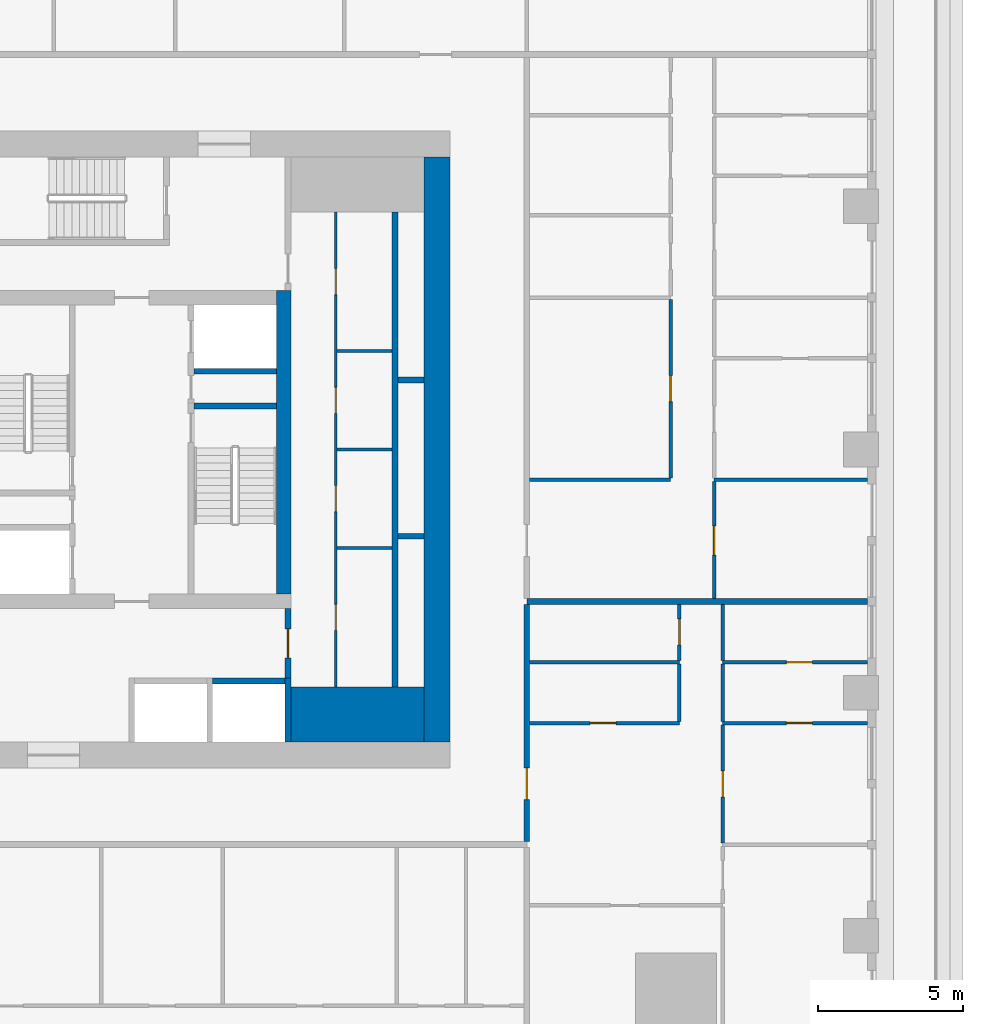
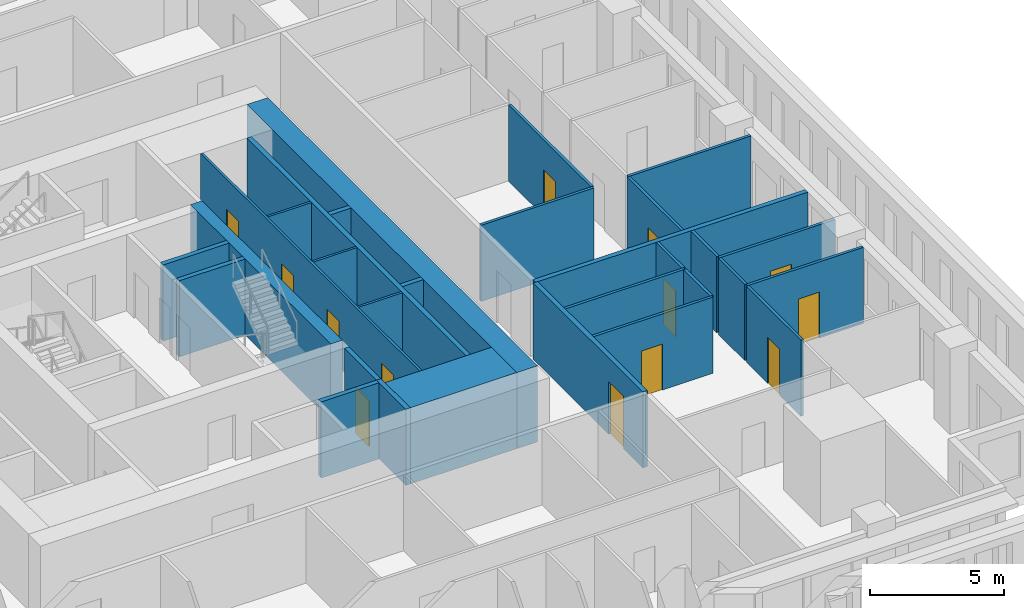
# One storey, part 5 of 14: 30 walls, 13 doors, 13 openings.
"""IFC4 building model written with IfcOpenShell, lengths in metres."""

from ifc_helpers import new_model, si_unit, direction, frame, frame_2d, origin, place, context, subcontext, project, spatial, rectangle, extrude, material, layer, layer_set, type_object, element, fill, save


model = new_model("IFC4")

# Units and contexts
model_context = context("Model", 3, precision=1e-05, world=origin(), true_north=direction((0.0, 1.0)))
body_context = subcontext(model_context, "Body", "Model", "MODEL_VIEW")
ifc_project = project(units=[si_unit("LENGTHUNIT", "METRE"), si_unit("AREAUNIT", "SQUARE_METRE"), si_unit("VOLUMEUNIT", "CUBIC_METRE"), si_unit("PLANEANGLEUNIT", "RADIAN"), si_unit("MASSUNIT", "GRAM", prefix="KILO")], contexts=[model_context])

# Site, building, storey
site_placement = place(None, origin())
site = spatial("IfcSite", under=ifc_project, at=site_placement, CompositionType="ELEMENT")
building_placement = place(site_placement, origin())
building = spatial("IfcBuilding", under=site, at=building_placement, Name="Khepri Terraces", CompositionType="ELEMENT")
storey_placement = place(building_placement, frame((0.0, 0.0, 90.89990234375)))
storey = spatial("IfcBuildingStorey", under=building, at=storey_placement, Name="L21", CompositionType="ELEMENT", Elevation=90.89990234375)

# Walls
ifc_material_1 = material(Name="Concrete C70/85", Category="concrete")
ifc_layer_1 = layer(ifc_material_1, 1.89990234375, Name="Concrete C70/85", Category="concrete")
ifc_layer_set_1 = layer_set([ifc_layer_1], Name="Concrete C70/85")
wall_type_1 = type_object("IfcWallType", Name="Core wall 1900 C70/85", PredefinedType="SHEAR", material=ifc_layer_set_1)
wall_1_placement = place(storey_placement, frame((5.5, -9.14990234375, 0.0), z_axis=(0.0, 0.0, 1.0), x_axis=(1.0, 0.0, 0.0)))
element("IfcWall", 1, at=wall_1_placement, inside=storey, type_object=wall_type_1, Name="Core wall PR02 L21", PredefinedType="SHEAR", context=body_context, shape_type="SweptSolid", body=[
    extrude(rectangle(XDim=4.60009765625, YDim=1.89990234375, at=frame_2d((2.300048828125, 0.0))), origin(), (0.0, 0.0, 1.0), 3.47998046875),
])
ifc_layer_2 = layer(ifc_material_1, 0.199951171875, Name="Concrete C70/85", Category="concrete")
ifc_layer_set_2 = layer_set([ifc_layer_2], Name="Concrete C70/85")
wall_type_2 = type_object("IfcWallType", Name="Core wall 200 C70/85", PredefinedType="SHEAR", material=ifc_layer_set_2)
wall_2_placement = place(storey_placement, frame((2.14990234375, 1.5, 0.0), z_axis=(0.0, 0.0, 1.0), x_axis=(1.0, 0.0, 0.0)))
element("IfcWall", 2, at=wall_2_placement, inside=storey, type_object=wall_type_2, Name="Core wall ST04 L21", PredefinedType="SHEAR", context=body_context, shape_type="SweptSolid", body=[
    extrude(rectangle(XDim=2.85009765625, YDim=0.199951171875, at=frame_2d((1.425048828125, 0.0))), origin(), (0.0, 0.0, 1.0), 3.47998046875),
])
wall_3_placement = place(storey_placement, frame((5.39990234375, -10.10009765625, 0.0), z_axis=(0.0, 0.0, 1.0), x_axis=(0.0, 1.0, 0.0)))
element("IfcWall", 3, at=wall_3_placement, inside=storey, type_object=wall_type_2, Name="Core wall SH03 L21", PredefinedType="SHEAR", context=body_context, shape_type="SweptSolid", body=[
    extrude(rectangle(XDim=2.2001953125, YDim=0.199951171875, at=frame_2d((1.10009765625, 0.0))), origin(), (0.0, 0.0, 1.0), 3.47998046875),
])
wall_4_placement = place(storey_placement, frame((9.10009765625, -8.199951171875, 0.0), z_axis=(0.0, 0.0, 1.0), x_axis=(0.0, 1.0, 0.0)))
element("IfcWall", 4, at=wall_4_placement, inside=storey, type_object=wall_type_2, Name="Core wall SH05 L21", PredefinedType="SHEAR", context=body_context, shape_type="SweptSolid", body=[
    extrude(rectangle(XDim=16.39990234375, YDim=0.199951171875, at=frame_2d((8.199951171875, 0.0))), origin(), (0.0, 0.0, 1.0), 3.47998046875),
])
wall_5_placement = place(storey_placement, frame((2.800048828125, -8.0, 0.0), z_axis=(0.0, 0.0, 1.0), x_axis=(1.0, 0.0, 0.0)))
element("IfcWall", 5, at=wall_5_placement, inside=storey, type_object=wall_type_2, Name="Core wall SH07 L21", PredefinedType="SHEAR", context=body_context, shape_type="SweptSolid", body=[
    extrude(rectangle(XDim=2.5, YDim=0.199951171875, at=frame_2d((1.25, 0.0))), origin(), (0.0, 0.0, 1.0), 3.47998046875),
])
for number, where, z_axis, x_axis, name in (
    (6, (9.199951171875, -3.0, 0.0), (0.0, 0.0, 1.0), (1.0, 0.0, 0.0), "Core wall SH11 L21"),
    (7, (9.199951171875, 2.39990234375, 0.0), (0.0, 0.0, 1.0), (1.0, 0.0, 0.0), "Core wall SH16 L21"),
):
    element("IfcWall", number, at=place(storey_placement, frame(where, z_axis=z_axis, x_axis=x_axis)), inside=storey, type_object=wall_type_2, Name=name, PredefinedType="SHEAR", context=body_context, shape_type="SweptSolid", body=[
        extrude(rectangle(XDim=0.900146484375, YDim=0.199951171875, at=frame_2d((0.4501953125, 0.0))), origin(), (0.0, 0.0, 1.0), 3.47998046875),
    ])
wall_6_placement = place(storey_placement, frame((2.14990234375, 2.699951171875, 0.0), z_axis=(0.0, 0.0, 1.0), x_axis=(1.0, 0.0, 0.0)))
element("IfcWall", 8, at=wall_6_placement, inside=storey, type_object=wall_type_2, Name="Core wall SH18 L21", PredefinedType="SHEAR", context=body_context, shape_type="SweptSolid", body=[
    extrude(rectangle(XDim=2.85009765625, YDim=0.199951171875, at=frame_2d((1.425048828125, 0.0))), origin(), (0.0, 0.0, 1.0), 3.47998046875),
])
ifc_layer_3 = layer(ifc_material_1, 0.5, Name="Concrete C70/85", Category="concrete")
ifc_layer_set_3 = layer_set([ifc_layer_3], Name="Concrete C70/85")
wall_type_3 = type_object("IfcWallType", Name="Core wall 500 C70/85", PredefinedType="SHEAR", material=ifc_layer_set_3)
wall_7_placement = place(storey_placement, frame((5.25, -5.0, 0.0), z_axis=(0.0, 0.0, 1.0), x_axis=(0.0, 1.0, 0.0)))
element("IfcWall", 9, at=wall_7_placement, inside=storey, type_object=wall_type_3, Name="Core wall BX03 L21", PredefinedType="SHEAR", context=body_context, shape_type="SweptSolid", body=[
    extrude(rectangle(XDim=10.5, YDim=0.5, at=frame_2d((5.25, 0.0))), origin(), (0.0, 0.0, 1.0), 3.47998046875),
])
ifc_layer_4 = layer(ifc_material_1, 0.89990234375, Name="Concrete C70/85", Category="concrete")
ifc_layer_set_4 = layer_set([ifc_layer_4], Name="Concrete C70/85")
wall_type_4 = type_object("IfcWallType", Name="Core wall 900 C70/85", PredefinedType="SHEAR", material=ifc_layer_set_4)
wall_8_placement = place(storey_placement, frame((10.550048828125, -10.10009765625, 0.0), z_axis=(0.0, 0.0, 1.0), x_axis=(0.0, 1.0, 0.0)))
element("IfcWall", 10, at=wall_8_placement, inside=storey, type_object=wall_type_4, Name="Core wall OW-E L21", PredefinedType="SHEAR", context=body_context, shape_type="SweptSolid", body=[
    extrude(rectangle(XDim=20.2001953125, YDim=0.89990234375, at=frame_2d((10.10009765625, 0.0))), origin(), (0.0, 0.0, 1.0), 3.47998046875),
])

# Wall, openings, doors
ifc_material_2 = material(Name="Fire-rated gypsum board partition")
ifc_layer_5 = layer(ifc_material_2, 0.10009765625, Name="Fire-rated gypsum board partition")
ifc_layer_set_5 = layer_set([ifc_layer_5], Name="Fire-rated gypsum board partition")
wall_type_5 = type_object("IfcWallType", Name="WL-CORE-PART-100", PredefinedType="PARTITIONING", material=ifc_layer_set_5)
wall_9_placement = place(storey_placement, frame((7.050048828125, -8.199951171875, 0.0), z_axis=(0.0, 0.0, 1.0), x_axis=(0.0, 1.0, 0.0)))
wall_9 = element("IfcWall", 11, at=wall_9_placement, inside=storey, type_object=wall_type_5, Name="Core partition PT02 L21", PredefinedType="PARTITIONING", context=body_context, shape_type="SweptSolid", body=[
    extrude(rectangle(XDim=16.39990234375, YDim=0.10009765625, at=frame_2d((8.199951171875, 0.0))), origin(), (0.0, 0.0, 1.0), 3.47998046875),
])
opening_1_placement = place(wall_9_placement, frame((1.949951171875, 0.0, 0.0)))
opening_1 = element("IfcOpeningElement", 12, at=opening_1_placement, cuts=wall_9, Name="Opening L21-C22", PredefinedType="OPENING", context=body_context, shape_type="SweptSolid", body=[
    extrude(rectangle(XDim=0.89990234375, YDim=2.10009765625, at=frame_2d((0.449951171875, 1.050048828125))), frame((0.0, 0.06005859375, 0.0), z_axis=(0.0, -1.0, 0.0), x_axis=(1.0, 0.0, 0.0)), (0.0, 0.0, 1.0), 0.1201171875),
])
opening_2_placement = place(wall_9_placement, frame((6.050048828125, 0.0, 0.0)))
opening_2 = element("IfcOpeningElement", 13, at=opening_2_placement, cuts=wall_9, Name="Opening L21-C23", PredefinedType="OPENING", context=body_context, shape_type="SweptSolid", body=[
    extrude(rectangle(XDim=0.89990234375, YDim=2.10009765625, at=frame_2d((0.449951171875, 1.050048828125))), frame((0.0, 0.06005859375, 0.0), z_axis=(0.0, -1.0, 0.0), x_axis=(1.0, 0.0, 0.0)), (0.0, 0.0, 1.0), 0.1201171875),
])
opening_3_placement = place(wall_9_placement, frame((9.449951171875, 0.0, 0.0)))
opening_3 = element("IfcOpeningElement", 14, at=opening_3_placement, cuts=wall_9, Name="Opening L21-C24", PredefinedType="OPENING", context=body_context, shape_type="SweptSolid", body=[
    extrude(rectangle(XDim=0.89990234375, YDim=2.10009765625, at=frame_2d((0.449951171875, 1.050048828125))), frame((0.0, 0.06005859375, 0.0), z_axis=(0.0, -1.0, 0.0), x_axis=(1.0, 0.0, 0.0)), (0.0, 0.0, 1.0), 0.1201171875),
])
opening_4_placement = place(wall_9_placement, frame((13.550048828125, 0.0, 0.0)))
opening_4 = element("IfcOpeningElement", 15, at=opening_4_placement, cuts=wall_9, Name="Opening L21-C25", PredefinedType="OPENING", context=body_context, shape_type="SweptSolid", body=[
    extrude(rectangle(XDim=0.89990234375, YDim=2.10009765625, at=frame_2d((0.449951171875, 1.050048828125))), frame((0.0, 0.06005859375, 0.0), z_axis=(0.0, -1.0, 0.0), x_axis=(1.0, 0.0, 0.0)), (0.0, 0.0, 1.0), 0.1201171875),
])
ifc_material_3 = material(Name="Painted steel", Category="steel")
door_type_1 = type_object("IfcDoorType", Name="DR-CORE-SERVICE-900", OperationType="NOTDEFINED", PredefinedType="DOOR", material=ifc_material_3)
door_1_placement = place(opening_1_placement, frame((0.89990234375, 0.0, 0.0), z_axis=(0.0, 0.0, 1.0), x_axis=(-1.0, 0.0, 0.0)))
door_1 = element("IfcDoor", 16, at=door_1_placement, inside=storey, type_object=door_type_1, Name="Service room door L21-C22", OperationType="SINGLE_SWING_RIGHT", OverallHeight=2.10009765625, OverallWidth=0.89990234375, PredefinedType="DOOR", context=body_context, shape_type="SweptSolid", body=[
    extrude(rectangle(XDim=0.89990234375, YDim=2.10009765625, at=frame_2d((0.449951171875, 1.050048828125))), frame((0.0, 0.02490234375, 0.0), z_axis=(0.0, -1.0, 0.0), x_axis=(1.0, 0.0, 0.0)), (0.0, 0.0, 1.0), 0.050048828125),
])
fill(opening_1, door_1)
door_2_placement = place(opening_2_placement, frame((0.89990234375, 0.0, 0.0), z_axis=(0.0, 0.0, 1.0), x_axis=(-1.0, 0.0, 0.0)))
door_2 = element("IfcDoor", 17, at=door_2_placement, inside=storey, type_object=door_type_1, Name="Service room door L21-C23", OperationType="SINGLE_SWING_RIGHT", OverallHeight=2.10009765625, OverallWidth=0.89990234375, PredefinedType="DOOR", context=body_context, shape_type="SweptSolid", body=[
    extrude(rectangle(XDim=0.89990234375, YDim=2.10009765625, at=frame_2d((0.449951171875, 1.050048828125))), frame((0.0, 0.02490234375, 0.0), z_axis=(0.0, -1.0, 0.0), x_axis=(1.0, 0.0, 0.0)), (0.0, 0.0, 1.0), 0.050048828125),
])
fill(opening_2, door_2)
door_3_placement = place(opening_3_placement, frame((0.89990234375, 0.0, 0.0), z_axis=(0.0, 0.0, 1.0), x_axis=(-1.0, 0.0, 0.0)))
door_3 = element("IfcDoor", 18, at=door_3_placement, inside=storey, type_object=door_type_1, Name="Service room door L21-C24", OperationType="SINGLE_SWING_LEFT", OverallHeight=2.10009765625, OverallWidth=0.89990234375, PredefinedType="DOOR", context=body_context, shape_type="SweptSolid", body=[
    extrude(rectangle(XDim=0.89990234375, YDim=2.10009765625, at=frame_2d((0.449951171875, 1.050048828125))), frame((0.0, 0.02490234375, 0.0), z_axis=(0.0, -1.0, 0.0), x_axis=(1.0, 0.0, 0.0)), (0.0, 0.0, 1.0), 0.050048828125),
])
fill(opening_3, door_3)
door_4_placement = place(opening_4_placement, frame((0.89990234375, 0.0, 0.0), z_axis=(0.0, 0.0, 1.0), x_axis=(-1.0, 0.0, 0.0)))
door_4 = element("IfcDoor", 19, at=door_4_placement, inside=storey, type_object=door_type_1, Name="Service room door L21-C25", OperationType="SINGLE_SWING_LEFT", OverallHeight=2.10009765625, OverallWidth=0.89990234375, PredefinedType="DOOR", context=body_context, shape_type="SweptSolid", body=[
    extrude(rectangle(XDim=0.89990234375, YDim=2.10009765625, at=frame_2d((0.449951171875, 1.050048828125))), frame((0.0, 0.02490234375, 0.0), z_axis=(0.0, -1.0, 0.0), x_axis=(1.0, 0.0, 0.0)), (0.0, 0.0, 1.0), 0.050048828125),
])
fill(opening_4, door_4)

# Walls
for number, where, z_axis, x_axis, name in (
    (20, (7.10009765625, -3.39990234375, 0.0), (0.0, 0.0, 1.0), (1.0, 0.0, 0.0), "Core partition PT04 L21"),
    (21, (7.10009765625, 0.0, 0.0), (0.0, 0.0, 1.0), (1.0, 0.0, 0.0), "Core partition PT05 L21"),
    (22, (7.10009765625, 3.39990234375, 0.0), (0.0, 0.0, 1.0), (1.0, 0.0, 0.0), "Core partition PT06 L21"),
):
    element("IfcWall", number, at=place(storey_placement, frame(where, z_axis=z_axis, x_axis=x_axis)), inside=storey, type_object=wall_type_5, Name=name, PredefinedType="PARTITIONING", context=body_context, shape_type="SweptSolid", body=[
        extrude(rectangle(XDim=1.89990234375, YDim=0.10009765625, at=frame_2d((0.949951171875, 0.0))), origin(), (0.0, 0.0, 1.0), 3.47998046875),
    ])

# Wall, opening, door
ifc_layer_6 = layer(ifc_material_2, 0.199951171875, Name="Fire-rated gypsum board partition")
ifc_layer_set_6 = layer_set([ifc_layer_6], Name="Fire-rated gypsum board partition")
wall_type_6 = type_object("IfcWallType", Name="WL-CORE-PART-200", PredefinedType="PARTITIONING", material=ifc_layer_set_6)
wall_10_placement = place(storey_placement, frame((5.39990234375, -7.89990234375, 0.0), z_axis=(0.0, 0.0, 1.0), x_axis=(0.0, 1.0, 0.0)))
wall_10 = element("IfcWall", 23, at=wall_10_placement, inside=storey, type_object=wall_type_6, Name="Core partition PT03 L21", PredefinedType="PARTITIONING", context=body_context, shape_type="SweptSolid", body=[
    extrude(rectangle(XDim=2.39990234375, YDim=0.199951171875, at=frame_2d((1.199951171875, 0.0))), origin(), (0.0, 0.0, 1.0), 3.47998046875),
])
opening_5_placement = place(wall_10_placement, frame((0.699951171875, 0.0, 0.0)))
opening_5 = element("IfcOpeningElement", 24, at=opening_5_placement, cuts=wall_10, Name="Opening L21-C19", PredefinedType="OPENING", context=body_context, shape_type="SweptSolid", body=[
    extrude(rectangle(XDim=1.0, YDim=2.10009765625, at=frame_2d((0.5, 1.050048828125))), frame((0.0, 0.10986328125, 0.0), z_axis=(0.0, -1.0, 0.0), x_axis=(1.0, 0.0, 0.0)), (0.0, 0.0, 1.0), 0.219970703125),
])
door_type_2 = type_object("IfcDoorType", Name="DR-CORE-LOBBY-1000", OperationType="NOTDEFINED", PredefinedType="DOOR", material=ifc_material_3)
door_5_placement = place(opening_5_placement, origin())
door_5 = element("IfcDoor", 25, at=door_5_placement, inside=storey, type_object=door_type_2, Name="Lobby door L21-C19", OperationType="SINGLE_SWING_RIGHT", OverallHeight=2.10009765625, OverallWidth=1.0, PredefinedType="DOOR", context=body_context, shape_type="SweptSolid", body=[
    extrude(rectangle(XDim=1.0, YDim=2.10009765625, at=frame_2d((0.5, 1.050048828125))), frame((0.0, 0.02490234375, 0.0), z_axis=(0.0, -1.0, 0.0), x_axis=(1.0, 0.0, 0.0)), (0.0, 0.0, 1.0), 0.050048828125),
])
fill(opening_5, door_5)

ifc_material_4 = material(Name="Fire-rated gypsum plasterboard partition, mineral wool")
ifc_layer_7 = layer(ifc_material_4, 0.199951171875, Name="Fire-rated gypsum plasterboard partition, mineral wool")
ifc_layer_set_7 = layer_set([ifc_layer_7], Name="Fire-rated gypsum plasterboard partition, mineral wool")
wall_type_7 = type_object("IfcWallType", Name="WL-CORR-200", PredefinedType="PARTITIONING", material=ifc_layer_set_7)
wall_11_placement = place(storey_placement, frame((13.64990234375, -13.550048828125, 0.0), z_axis=(0.0, 0.0, 1.0), x_axis=(0.0, 1.0, 0.0)))
wall_11 = element("IfcWall", 26, at=wall_11_placement, inside=storey, type_object=wall_type_7, Name="Partition P-025 L21", PredefinedType="PARTITIONING", context=body_context, shape_type="SweptSolid", body=[
    extrude(rectangle(XDim=8.199951171875, YDim=0.199951171875, at=frame_2d((4.10009765625, 0.0))), origin(), (0.0, 0.0, 1.0), 3.47998046875),
])
opening_6_placement = place(wall_11_placement, frame((1.449951171875, 0.0, 0.0)))
opening_6 = element("IfcOpeningElement", 27, at=opening_6_placement, cuts=wall_11, Name="Opening D1", PredefinedType="OPENING", context=body_context, shape_type="SweptSolid", body=[
    extrude(rectangle(XDim=1.10009765625, YDim=2.39990234375, at=frame_2d((0.550048828125, 1.199951171875))), frame((0.0, 0.10986328125, 0.0), z_axis=(0.0, -1.0, 0.0), x_axis=(1.0, 0.0, 0.0)), (0.0, 0.0, 1.0), 0.219970703125),
])
ifc_material_5 = material(Name="Solid-core timber door leaf, flat entrance door", Category="wood")
door_type_3 = type_object("IfcDoorType", Name="DR-ENT-1100", OperationType="NOTDEFINED", PredefinedType="DOOR", material=ifc_material_5)
door_6_placement = place(opening_6_placement, frame((1.10009765625, 0.0, 0.0), z_axis=(0.0, 0.0, 1.0), x_axis=(-1.0, 0.0, 0.0)))
door_6 = element("IfcDoor", 28, at=door_6_placement, inside=storey, type_object=door_type_3, Name="Flat B1 entrance door", OperationType="SINGLE_SWING_RIGHT", OverallHeight=2.39990234375, OverallWidth=1.10009765625, PredefinedType="DOOR", context=body_context, shape_type="SweptSolid", body=[
    extrude(rectangle(XDim=1.10009765625, YDim=2.39990234375, at=frame_2d((0.550048828125, 1.199951171875))), frame((0.0, 0.02490234375, 0.0), z_axis=(0.0, -1.0, 0.0), x_axis=(1.0, 0.0, 0.0)), (0.0, 0.0, 1.0), 0.050048828125),
])
fill(opening_6, door_6)

# Wall
wall_12_placement = place(storey_placement, frame((13.64990234375, -5.25, 0.0), z_axis=(0.0, 0.0, 1.0), x_axis=(1.0, 0.0, 0.0)))
element("IfcWall", 29, at=wall_12_placement, inside=storey, type_object=wall_type_7, Name="Partition P-041 L21", PredefinedType="PARTITIONING", context=body_context, shape_type="SweptSolid", body=[
    extrude(rectangle(XDim=11.77001953125, YDim=0.199951171875, at=frame_2d((5.885009765625, 0.0))), origin(), (0.0, 0.0, 1.0), 3.47998046875),
])

# Wall, opening, door
ifc_material_6 = material(Name="Gypsum plasterboard partition")
ifc_layer_8 = layer(ifc_material_6, 0.1201171875, Name="Gypsum plasterboard partition")
ifc_layer_set_8 = layer_set([ifc_layer_8], Name="Gypsum plasterboard partition")
wall_type_8 = type_object("IfcWallType", Name="WL-PART-120", PredefinedType="PARTITIONING", material=ifc_layer_set_8)
wall_13_placement = place(storey_placement, frame((20.419921875, -13.590087890625, 0.0), z_axis=(0.0, 0.0, 1.0), x_axis=(0.0, 1.0, 0.0)))
wall_13 = element("IfcWall", 30, at=wall_13_placement, inside=storey, type_object=wall_type_8, Name="Partition P-021 L21", PredefinedType="PARTITIONING", context=body_context, shape_type="SweptSolid", body=[
    extrude(rectangle(XDim=4.080078125, YDim=0.1201171875, at=frame_2d((2.0400390625, 0.0))), origin(), (0.0, 0.0, 1.0), 3.47998046875),
])
opening_7_placement = place(wall_13_placement, frame((1.590087890625, 0.0, 0.0)))
opening_7 = element("IfcOpeningElement", 31, at=opening_7_placement, cuts=wall_13, Name="Opening D3", PredefinedType="OPENING", context=body_context, shape_type="SweptSolid", body=[
    extrude(rectangle(XDim=0.89990234375, YDim=2.10009765625, at=frame_2d((0.449951171875, 1.050048828125))), frame((0.0, 0.070068359375, 0.0), z_axis=(0.0, -1.0, 0.0), x_axis=(1.0, 0.0, 0.0)), (0.0, 0.0, 1.0), 0.14013671875),
])
ifc_material_7 = material(Name="Timber door leaf", Category="wood")
door_type_4 = type_object("IfcDoorType", Name="DR-INT-900", OperationType="NOTDEFINED", PredefinedType="DOOR", material=ifc_material_7)
door_7_placement = place(opening_7_placement, frame((0.89990234375, 0.0, 0.0), z_axis=(0.0, 0.0, 1.0), x_axis=(-1.0, 0.0, 0.0)))
door_7 = element("IfcDoor", 32, at=door_7_placement, inside=storey, type_object=door_type_4, Name="Door Master Bedroom", OperationType="SINGLE_SWING_RIGHT", OverallHeight=2.10009765625, OverallWidth=0.89990234375, PredefinedType="DOOR", context=body_context, shape_type="SweptSolid", body=[
    extrude(rectangle(XDim=0.89990234375, YDim=2.10009765625, at=frame_2d((0.449951171875, 1.050048828125))), frame((0.0, 0.02490234375, 0.0), z_axis=(0.0, -1.0, 0.0), x_axis=(1.0, 0.0, 0.0)), (0.0, 0.0, 1.0), 0.050048828125),
])
fill(opening_7, door_7)

wall_14_placement = place(storey_placement, frame((13.75, -9.449951171875, 0.0), z_axis=(0.0, 0.0, 1.0), x_axis=(1.0, 0.0, 0.0)))
wall_14 = element("IfcWall", 33, at=wall_14_placement, inside=storey, type_object=wall_type_8, Name="Partition P-028 L21", PredefinedType="PARTITIONING", context=body_context, shape_type="SweptSolid", body=[
    extrude(rectangle(XDim=5.169921875, YDim=0.1201171875, at=frame_2d((2.5849609375, 0.0))), origin(), (0.0, 0.0, 1.0), 3.47998046875),
])
opening_8_placement = place(wall_14_placement, frame((2.0849609375, 0.0, 0.0)))
opening_8 = element("IfcOpeningElement", 34, at=opening_8_placement, cuts=wall_14, Name="Opening D4", PredefinedType="OPENING", context=body_context, shape_type="SweptSolid", body=[
    extrude(rectangle(XDim=0.89990234375, YDim=2.10009765625, at=frame_2d((0.449951171875, 1.050048828125))), frame((0.0, 0.070068359375, 0.0), z_axis=(0.0, -1.0, 0.0), x_axis=(1.0, 0.0, 0.0)), (0.0, 0.0, 1.0), 0.14013671875),
])
ifc_material_8 = material(Name="Timber door leaf, moisture resistant", Category="wood")
door_type_5 = type_object("IfcDoorType", Name="DR-WET-900", OperationType="NOTDEFINED", PredefinedType="DOOR", material=ifc_material_8)
door_8_placement = place(opening_8_placement, origin())
door_8 = element("IfcDoor", 35, at=door_8_placement, inside=storey, type_object=door_type_5, Name="Door Guest Bathroom", OperationType="SINGLE_SWING_LEFT", OverallHeight=2.10009765625, OverallWidth=0.89990234375, PredefinedType="DOOR", context=body_context, shape_type="SweptSolid", body=[
    extrude(rectangle(XDim=0.89990234375, YDim=2.10009765625, at=frame_2d((0.449951171875, 1.050048828125))), frame((0.0, 0.02490234375, 0.0), z_axis=(0.0, -1.0, 0.0), x_axis=(1.0, 0.0, 0.0)), (0.0, 0.0, 1.0), 0.050048828125),
])
fill(opening_8, door_8)

wall_15_placement = place(storey_placement, frame((20.419921875, -9.449951171875, 0.0), z_axis=(0.0, 0.0, 1.0), x_axis=(1.0, 0.0, 0.0)))
wall_15 = element("IfcWall", 36, at=wall_15_placement, inside=storey, type_object=wall_type_8, Name="Partition P-029 L21", PredefinedType="PARTITIONING", context=body_context, shape_type="SweptSolid", body=[
    extrude(rectangle(XDim=5.0, YDim=0.1201171875, at=frame_2d((2.5, 0.0))), origin(), (0.0, 0.0, 1.0), 3.47998046875),
])
opening_9_placement = place(wall_15_placement, frame((2.199951171875, 0.0, 0.0)))
opening_9 = element("IfcOpeningElement", 37, at=opening_9_placement, cuts=wall_15, Name="Opening D3", PredefinedType="OPENING", context=body_context, shape_type="SweptSolid", body=[
    extrude(rectangle(XDim=0.89990234375, YDim=2.10009765625, at=frame_2d((0.449951171875, 1.050048828125))), frame((0.0, 0.070068359375, 0.0), z_axis=(0.0, -1.0, 0.0), x_axis=(1.0, 0.0, 0.0)), (0.0, 0.0, 1.0), 0.14013671875),
])
door_9_placement = place(opening_9_placement, origin())
door_9 = element("IfcDoor", 38, at=door_9_placement, inside=storey, type_object=door_type_4, Name="Door Dressing Room", OperationType="SINGLE_SWING_RIGHT", OverallHeight=2.10009765625, OverallWidth=0.89990234375, PredefinedType="DOOR", context=body_context, shape_type="SweptSolid", body=[
    extrude(rectangle(XDim=0.89990234375, YDim=2.10009765625, at=frame_2d((0.449951171875, 1.050048828125))), frame((0.0, 0.02490234375, 0.0), z_axis=(0.0, -1.0, 0.0), x_axis=(1.0, 0.0, 0.0)), (0.0, 0.0, 1.0), 0.050048828125),
])
fill(opening_9, door_9)

# Walls
for number, where, z_axis, x_axis, name in (
    (39, (18.919921875, -9.389892578125, 0.0), (0.0, 0.0, 1.0), (0.0, 1.0, 0.0), "Partition P-030 L21"),
    (40, (20.419921875, -9.389892578125, 0.0), (0.0, 0.0, 1.0), (0.0, 1.0, 0.0), "Partition P-031 L21"),
):
    element("IfcWall", number, at=place(storey_placement, frame(where, z_axis=z_axis, x_axis=x_axis)), inside=storey, type_object=wall_type_8, Name=name, PredefinedType="PARTITIONING", context=body_context, shape_type="SweptSolid", body=[
        extrude(rectangle(XDim=1.97998046875, YDim=0.1201171875, at=frame_2d((0.989990234375, 0.0))), origin(), (0.0, 0.0, 1.0), 3.47998046875),
    ])
wall_16_placement = place(storey_placement, frame((13.75, -7.35009765625, 0.0), z_axis=(0.0, 0.0, 1.0), x_axis=(1.0, 0.0, 0.0)))
element("IfcWall", 41, at=wall_16_placement, inside=storey, type_object=wall_type_8, Name="Partition P-035 L21", PredefinedType="PARTITIONING", context=body_context, shape_type="SweptSolid", body=[
    extrude(rectangle(XDim=5.169921875, YDim=0.1201171875, at=frame_2d((2.5849609375, 0.0))), origin(), (0.0, 0.0, 1.0), 3.47998046875),
])

# Wall, opening, door
wall_17_placement = place(storey_placement, frame((20.419921875, -7.35009765625, 0.0), z_axis=(0.0, 0.0, 1.0), x_axis=(1.0, 0.0, 0.0)))
wall_17 = element("IfcWall", 42, at=wall_17_placement, inside=storey, type_object=wall_type_8, Name="Partition P-036 L21", PredefinedType="PARTITIONING", context=body_context, shape_type="SweptSolid", body=[
    extrude(rectangle(XDim=5.0, YDim=0.1201171875, at=frame_2d((2.5, 0.0))), origin(), (0.0, 0.0, 1.0), 3.47998046875),
])
opening_10_placement = place(wall_17_placement, frame((2.199951171875, 0.0, 0.0)))
opening_10 = element("IfcOpeningElement", 43, at=opening_10_placement, cuts=wall_17, Name="Opening D4", PredefinedType="OPENING", context=body_context, shape_type="SweptSolid", body=[
    extrude(rectangle(XDim=0.89990234375, YDim=2.10009765625, at=frame_2d((0.449951171875, 1.050048828125))), frame((0.0, 0.070068359375, 0.0), z_axis=(0.0, -1.0, 0.0), x_axis=(1.0, 0.0, 0.0)), (0.0, 0.0, 1.0), 0.14013671875),
])
door_10_placement = place(opening_10_placement, origin())
door_10 = element("IfcDoor", 44, at=door_10_placement, inside=storey, type_object=door_type_5, Name="Door Bathroom", OperationType="SINGLE_SWING_RIGHT", OverallHeight=2.10009765625, OverallWidth=0.89990234375, PredefinedType="DOOR", context=body_context, shape_type="SweptSolid", body=[
    extrude(rectangle(XDim=0.89990234375, YDim=2.10009765625, at=frame_2d((0.449951171875, 1.050048828125))), frame((0.0, 0.02490234375, 0.0), z_axis=(0.0, -1.0, 0.0), x_axis=(1.0, 0.0, 0.0)), (0.0, 0.0, 1.0), 0.050048828125),
])
fill(opening_10, door_10)

wall_18_placement = place(storey_placement, frame((18.919921875, -7.2900390625, 0.0), z_axis=(0.0, 0.0, 1.0), x_axis=(0.0, 1.0, 0.0)))
wall_18 = element("IfcWall", 45, at=wall_18_placement, inside=storey, type_object=wall_type_8, Name="Partition P-038 L21", PredefinedType="PARTITIONING", context=body_context, shape_type="SweptSolid", body=[
    extrude(rectangle(XDim=1.93994140625, YDim=0.1201171875, at=frame_2d((0.969970703125, 0.0))), origin(), (0.0, 0.0, 1.0), 3.47998046875),
])
opening_11_placement = place(wall_18_placement, frame((0.5400390625, 0.0, 0.0)))
opening_11 = element("IfcOpeningElement", 46, at=opening_11_placement, cuts=wall_18, Name="Opening D3", PredefinedType="OPENING", context=body_context, shape_type="SweptSolid", body=[
    extrude(rectangle(XDim=0.89990234375, YDim=2.10009765625, at=frame_2d((0.449951171875, 1.050048828125))), frame((0.0, 0.070068359375, 0.0), z_axis=(0.0, -1.0, 0.0), x_axis=(1.0, 0.0, 0.0)), (0.0, 0.0, 1.0), 0.14013671875),
])
door_11_placement = place(opening_11_placement, origin())
door_11 = element("IfcDoor", 47, at=door_11_placement, inside=storey, type_object=door_type_4, Name="Door Kitchen", OperationType="SINGLE_SWING_RIGHT", OverallHeight=2.10009765625, OverallWidth=0.89990234375, PredefinedType="DOOR", context=body_context, shape_type="SweptSolid", body=[
    extrude(rectangle(XDim=0.89990234375, YDim=2.10009765625, at=frame_2d((0.449951171875, 1.050048828125))), frame((0.0, 0.02490234375, 0.0), z_axis=(0.0, -1.0, 0.0), x_axis=(1.0, 0.0, 0.0)), (0.0, 0.0, 1.0), 0.050048828125),
])
fill(opening_11, door_11)

# Wall
wall_19_placement = place(storey_placement, frame((20.419921875, -7.2900390625, 0.0), z_axis=(0.0, 0.0, 1.0), x_axis=(0.0, 1.0, 0.0)))
element("IfcWall", 48, at=wall_19_placement, inside=storey, type_object=wall_type_8, Name="Partition P-039 L21", PredefinedType="PARTITIONING", context=body_context, shape_type="SweptSolid", body=[
    extrude(rectangle(XDim=1.93994140625, YDim=0.1201171875, at=frame_2d((0.969970703125, 0.0))), origin(), (0.0, 0.0, 1.0), 3.47998046875),
])

# Wall, opening, door
wall_20_placement = place(storey_placement, frame((20.1201171875, -5.14990234375, 0.0), z_axis=(0.0, 0.0, 1.0), x_axis=(0.0, 1.0, 0.0)))
wall_20 = element("IfcWall", 49, at=wall_20_placement, inside=storey, type_object=wall_type_8, Name="Partition P-043 L21", PredefinedType="PARTITIONING", context=body_context, shape_type="SweptSolid", body=[
    extrude(rectangle(XDim=4.039794921875, YDim=0.1201171875, at=frame_2d((2.02001953125, 0.0))), origin(), (0.0, 0.0, 1.0), 3.47998046875),
])
opening_12_placement = place(wall_20_placement, frame((1.5, 0.0, 0.0)))
opening_12 = element("IfcOpeningElement", 50, at=opening_12_placement, cuts=wall_20, Name="Opening D2", PredefinedType="OPENING", context=body_context, shape_type="SweptSolid", body=[
    extrude(rectangle(XDim=1.0, YDim=2.10009765625, at=frame_2d((0.5, 1.050048828125))), frame((0.0, 0.070068359375, 0.0), z_axis=(0.0, -1.0, 0.0), x_axis=(1.0, 0.0, 0.0)), (0.0, 0.0, 1.0), 0.14013671875),
])
ifc_material_9 = material(Name="Timber door leaf, living room door", Category="wood")
door_type_6 = type_object("IfcDoorType", Name="DR-INT-1000", OperationType="NOTDEFINED", PredefinedType="DOOR", material=ifc_material_9)
door_12_placement = place(opening_12_placement, frame((1.0, 0.0, 0.0), z_axis=(0.0, 0.0, 1.0), x_axis=(-1.0, 0.0, 0.0)))
door_12 = element("IfcDoor", 51, at=door_12_placement, inside=storey, type_object=door_type_6, Name="Door Living Room", OperationType="SINGLE_SWING_RIGHT", OverallHeight=2.10009765625, OverallWidth=1.0, PredefinedType="DOOR", context=body_context, shape_type="SweptSolid", body=[
    extrude(rectangle(XDim=1.0, YDim=2.10009765625, at=frame_2d((0.5, 1.050048828125))), frame((0.0, 0.02490234375, 0.0), z_axis=(0.0, -1.0, 0.0), x_axis=(1.0, 0.0, 0.0)), (0.0, 0.0, 1.0), 0.050048828125),
])
fill(opening_12, door_12)

# Walls
wall_21_placement = place(storey_placement, frame((13.75, -1.050048828125, 0.0), z_axis=(0.0, 0.0, 1.0), x_axis=(1.0, 0.0, 0.0)))
element("IfcWall", 52, at=wall_21_placement, inside=storey, type_object=wall_type_8, Name="Partition P-045 L21", PredefinedType="PARTITIONING", context=body_context, shape_type="SweptSolid", body=[
    extrude(rectangle(XDim=4.8701171875, YDim=0.1201171875, at=frame_2d((2.43505859375, 0.0))), origin(), (0.0, 0.0, 1.0), 3.47998046875),
])
wall_22_placement = place(storey_placement, frame((20.1201171875, -1.050048828125, 0.0), z_axis=(0.0, 0.0, 1.0), x_axis=(1.0, 0.0, 0.0)))
element("IfcWall", 53, at=wall_22_placement, inside=storey, type_object=wall_type_8, Name="Partition P-046 L21", PredefinedType="PARTITIONING", context=body_context, shape_type="SweptSolid", body=[
    extrude(rectangle(XDim=5.2998046875, YDim=0.1201171875, at=frame_2d((2.64990234375, 0.0))), origin(), (0.0, 0.0, 1.0), 3.47998046875),
])

# Wall, opening, door
wall_23_placement = place(storey_placement, frame((18.6201171875, -0.989990234375, 0.0), z_axis=(0.0, 0.0, 1.0), x_axis=(0.0, 1.0, 0.0)))
wall_23 = element("IfcWall", 54, at=wall_23_placement, inside=storey, type_object=wall_type_8, Name="Partition P-048 L21", PredefinedType="PARTITIONING", context=body_context, shape_type="SweptSolid", body=[
    extrude(rectangle(XDim=6.179931640625, YDim=0.1201171875, at=frame_2d((3.08984375, 0.0))), origin(), (0.0, 0.0, 1.0), 3.47998046875),
])
opening_13_placement = place(wall_23_placement, frame((2.639892578125, 0.0, 0.0)))
opening_13 = element("IfcOpeningElement", 55, at=opening_13_placement, cuts=wall_23, Name="Opening D3", PredefinedType="OPENING", context=body_context, shape_type="SweptSolid", body=[
    extrude(rectangle(XDim=0.89990234375, YDim=2.10009765625, at=frame_2d((0.449951171875, 1.050048828125))), frame((0.0, 0.070068359375, 0.0), z_axis=(0.0, -1.0, 0.0), x_axis=(1.0, 0.0, 0.0)), (0.0, 0.0, 1.0), 0.14013671875),
])
door_13_placement = place(opening_13_placement, origin())
door_13 = element("IfcDoor", 56, at=door_13_placement, inside=storey, type_object=door_type_4, Name="Door Kitchen", OperationType="SINGLE_SWING_LEFT", OverallHeight=2.10009765625, OverallWidth=0.89990234375, PredefinedType="DOOR", context=body_context, shape_type="SweptSolid", body=[
    extrude(rectangle(XDim=0.89990234375, YDim=2.10009765625, at=frame_2d((0.449951171875, 1.050048828125))), frame((0.0, 0.02490234375, 0.0), z_axis=(0.0, -1.0, 0.0), x_axis=(1.0, 0.0, 0.0)), (0.0, 0.0, 1.0), 0.050048828125),
])
fill(opening_13, door_13)

save(model, "model.ifc")
